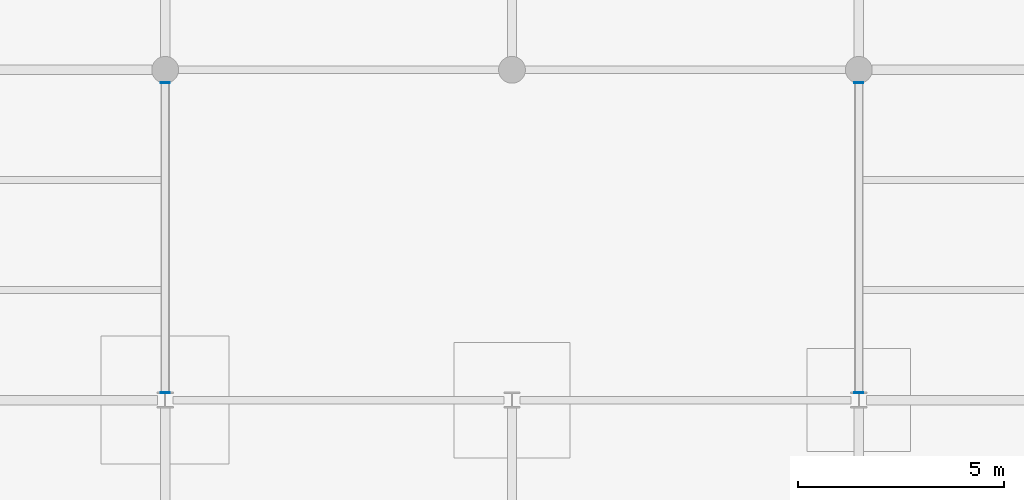
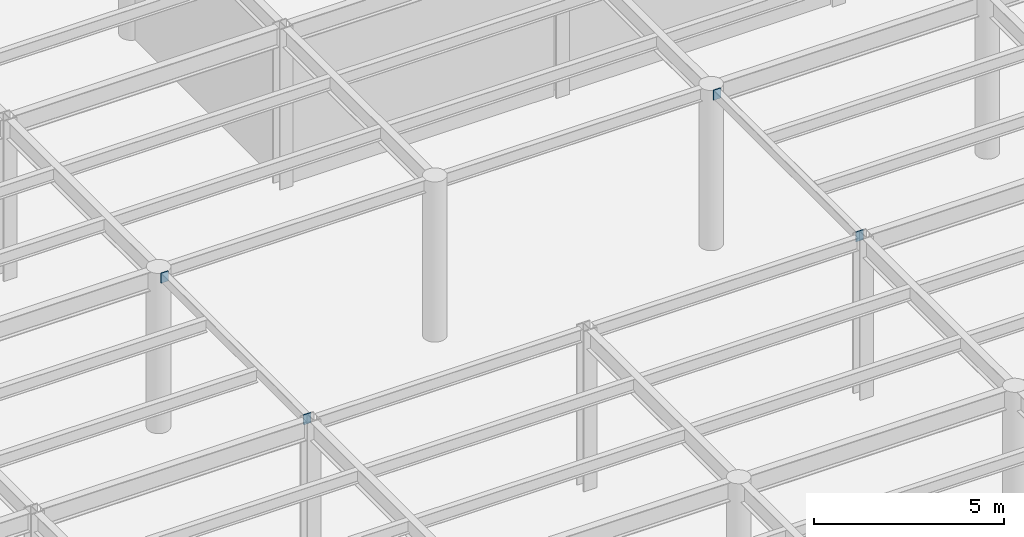
# One storey, part 99 of 138: 4 discrete accessories.
"""IFC4 building model written with IfcOpenShell, lengths in metres."""

from ifc_helpers import new_model, si_unit, direction, frame, origin, origin_2d, place, context, subcontext, project, spatial, rectangle, extrude, material, layer, layer_set, type_object, element, save


model = new_model("IFC4")

# Units and contexts
model_context = context("Model", 3, precision=1e-05, world=origin(), true_north=direction((0.0, 1.0)))
body_context = subcontext(model_context, "Body", "Model", "MODEL_VIEW")
ifc_project = project(units=[si_unit("LENGTHUNIT", "METRE"), si_unit("AREAUNIT", "SQUARE_METRE"), si_unit("VOLUMEUNIT", "CUBIC_METRE"), si_unit("PLANEANGLEUNIT", "RADIAN"), si_unit("MASSUNIT", "GRAM", prefix="KILO")], contexts=[model_context])

# Site, building, storey
site_placement = place(None, origin())
site = spatial("IfcSite", under=ifc_project, at=site_placement, CompositionType="ELEMENT")
building_placement = place(site_placement, origin())
building = spatial("IfcBuilding", under=site, at=building_placement, Name="Kranzveld Transit Interchange", CompositionType="ELEMENT")
storey_placement = place(building_placement, origin())
storey = spatial("IfcBuildingStorey", under=building, at=storey_placement, Name="L00", CompositionType="ELEMENT", Elevation=0.0)

# Discrete accessories
ifc_material = material(Name="Steel S355JR", Category="steel")
ifc_layer = layer(ifc_material, 0.02001953125)
ifc_layer_set = layer_set([ifc_layer], Name="Steel S355JR")
discrete_accessory_type = type_object("IfcDiscreteAccessoryType", Name="Hollow Section End Cap Bracket 20 S355JR", PredefinedType="BRACKET", material=ifc_layer_set)
for number, where, z_axis, x_axis, name in (
    (1, (84.0, 16.19091796875, 5.0), (0.0, -1.0, 0.0), (1.0, 0.0, 0.0), "Hollow Section End Cap SP-RHS300-1"),
    (2, (84.0, 23.680908203125, 5.0), (0.0, 1.0, 0.0), (-1.0, 0.0, 0.0), "Hollow Section End Cap SP-RHS300-2"),
    (3, (100.800048828125, 16.19091796875, 5.0), (0.0, -1.0, 0.0), (1.0, 0.0, 0.0), "Hollow Section End Cap SP-RHS300-1"),
    (4, (100.800048828125, 23.680908203125, 5.0), (0.0, 1.0, 0.0), (-1.0, 0.0, 0.0), "Hollow Section End Cap SP-RHS300-2"),
):
    element("IfcDiscreteAccessory", number, at=place(storey_placement, frame(where, z_axis=z_axis, x_axis=x_axis)), inside=storey, type_object=discrete_accessory_type, Name=name, PredefinedType="BRACKET", context=body_context, shape_type="SweptSolid", body=[
        extrude(rectangle(XDim=0.22412109375, YDim=0.323974609375, at=origin_2d()), origin(), (0.0, 0.0, 1.0), 0.02001953125),
    ])

save(model, "model.ifc")
